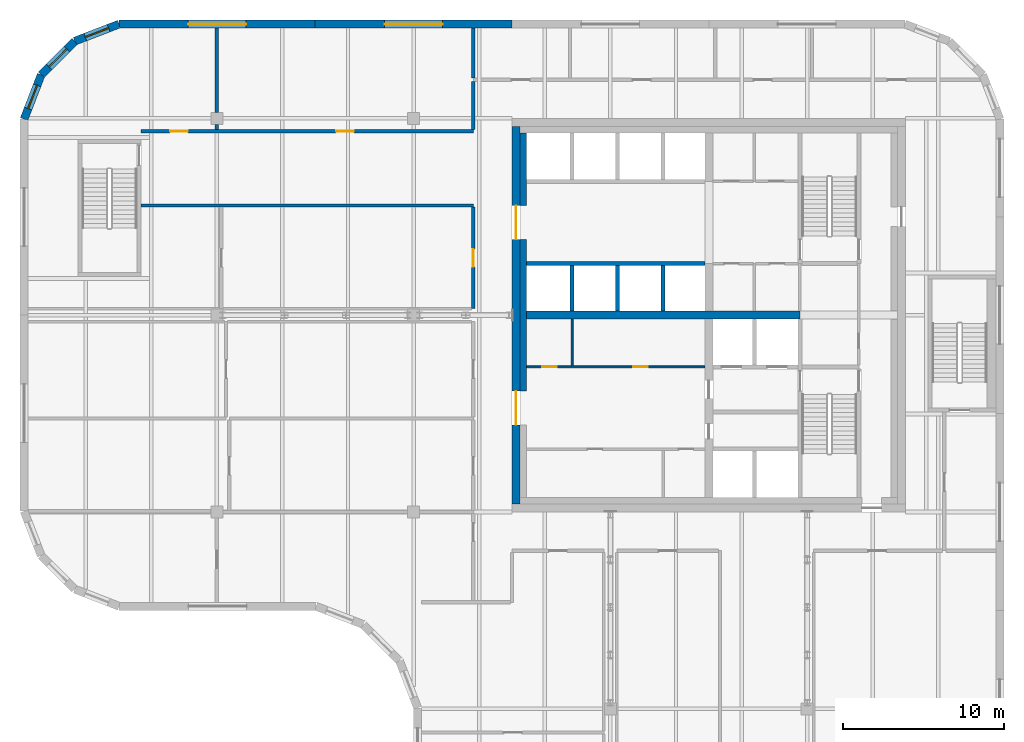
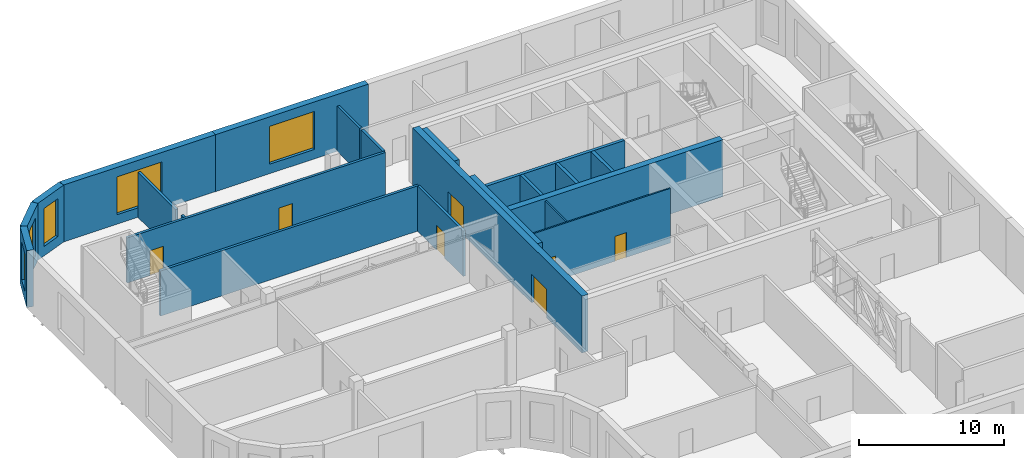
# One storey, part 8 of 12: 22 walls, 7 doors, 5 windows, 12 openings.
"""IFC4 building model written with IfcOpenShell, lengths in metres."""

from ifc_helpers import new_model, si_unit, direction, frame, frame_2d, origin, place, context, subcontext, project, spatial, polyline, rectangle, outline, extrude, faceted_brep, source, transform, mapped, material, layer, layer_set, type_object, element, fill, save


model = new_model("IFC4")

# Units and contexts
model_context = context("Model", 3, precision=1e-05, world=origin(), true_north=direction((0.0, 1.0)))
body_context = subcontext(model_context, "Body", "Model", "MODEL_VIEW")
ifc_project = project(units=[si_unit("LENGTHUNIT", "METRE"), si_unit("AREAUNIT", "SQUARE_METRE"), si_unit("VOLUMEUNIT", "CUBIC_METRE"), si_unit("PLANEANGLEUNIT", "RADIAN"), si_unit("MASSUNIT", "GRAM", prefix="KILO")], contexts=[model_context])

# Site, building, storey
site_placement = place(None, origin())
site = spatial("IfcSite", under=ifc_project, at=site_placement, CompositionType="ELEMENT")
building_placement = place(site_placement, origin())
building = spatial("IfcBuilding", under=site, at=building_placement, Name="Tessera Gate Towers", CompositionType="ELEMENT")
storey_placement = place(building_placement, frame((0.0, 0.0, 232.10009765625)))
storey = spatial("IfcBuildingStorey", under=building, at=storey_placement, Name="L58", CompositionType="ELEMENT", Elevation=232.10009765625)

# Walls
ifc_material_1 = material(Name="Concrete C40/50", Category="concrete")
ifc_layer_1 = layer(ifc_material_1, 0.25)
ifc_layer_set_1 = layer_set([ifc_layer_1], Name="CORE ENCLOSURE WALL 250")
wall_type_1 = type_object("IfcWallType", Name="CORE ENCLOSURE WALL 250", PredefinedType="SOLIDWALL", material=ifc_layer_set_1)
wall_1_placement = place(storey_placement, frame((31.39990234375, 39.800048828125, 0.0), z_axis=(0.0, 0.0, 1.0), x_axis=(1.0, 0.0, 0.0)))
element("IfcWall", 1, at=wall_1_placement, inside=storey, type_object=wall_type_1, Name="L58 shaft and stair enclosure wall", PredefinedType="SOLIDWALL", context=body_context, shape_type="SweptSolid", body=[
    extrude(rectangle(XDim=11.050048828125, YDim=0.25, at=frame_2d((5.52490234375, 0.0))), origin(), (0.0, 0.0, 1.0), 4.7998046875),
])
for number, where, z_axis, x_axis, name in (
    (2, (34.22509765625, 36.85009765625, 0.0), (0.0, 0.0, 1.0), (0.0, 1.0, 0.0), "L58 shaft and stair enclosure wall"),
    (3, (37.050048828125, 36.85009765625, 0.0), (0.0, 0.0, 1.0), (0.0, 1.0, 0.0), "L58 shaft and stair enclosure wall"),
    (4, (39.875, 36.85009765625, 0.0), (0.0, 0.0, 1.0), (0.0, 1.0, 0.0), "L58 shaft and stair enclosure wall"),
):
    element("IfcWall", number, at=place(storey_placement, frame(where, z_axis=z_axis, x_axis=x_axis)), inside=storey, type_object=wall_type_1, Name=name, PredefinedType="SOLIDWALL", context=body_context, shape_type="SweptSolid", body=[
        extrude(rectangle(XDim=2.824951171875, YDim=0.25, at=frame_2d((1.41259765625, 0.0))), origin(), (0.0, 0.0, 1.0), 4.7998046875),
    ])

# Wall, openings, doors
ifc_material_2 = material(Name="Gypsum board on steel studs", Category="steel")
ifc_layer_2 = layer(ifc_material_2, 0.1201171875)
ifc_layer_set_2 = layer_set([ifc_layer_2], Name="CORE PARTITION 120")
wall_type_2 = type_object("IfcWallType", Name="CORE PARTITION 120", PredefinedType="PARTITIONING", material=ifc_layer_set_2)
wall_2_placement = place(storey_placement, frame((31.39990234375, 33.39990234375, 0.0), z_axis=(0.0, 0.0, 1.0), x_axis=(1.0, 0.0, 0.0)))
wall_2 = element("IfcWall", 5, at=wall_2_placement, inside=storey, type_object=wall_type_2, Name="L58 core partition", PredefinedType="PARTITIONING", context=body_context, shape_type="SweptSolid", body=[
    extrude(rectangle(XDim=11.050048828125, YDim=0.1201171875, at=frame_2d((5.52490234375, 0.0))), origin(), (0.0, 0.0, 1.0), 4.599853515625),
])
shared_shape_1 = source(origin(), body_context, "Body", "SweptSolid", [
    extrude(rectangle(XDim=0.89990234375, YDim=2.10009765625, at=frame_2d((0.449951171875, 1.050048828125))), frame((0.0, 0.070068359375, 0.0), z_axis=(0.0, -1.0, 0.0), x_axis=(1.0, 0.0, 0.0)), (0.0, 0.0, 1.0), 0.14013671875),
])
opening_1_placement = place(wall_2_placement, frame((0.96240234375, 0.0, 0.0)))
opening_1 = element("IfcOpeningElement", 6, at=opening_1_placement, cuts=wall_2, Name="Opening RD-T1-35-09", PredefinedType="OPENING", context=body_context, shape_type="MappedRepresentation", body=[
    mapped(shared_shape_1, transform((0.0, 0.0, 0.0), scale=1.0)),
])
opening_2_placement = place(wall_2_placement, frame((6.612548828125, 0.0, 0.0)))
opening_2 = element("IfcOpeningElement", 7, at=opening_2_placement, cuts=wall_2, Name="Opening RD-T1-35-10", PredefinedType="OPENING", context=body_context, shape_type="MappedRepresentation", body=[
    mapped(shared_shape_1, transform((0.0, 0.0, 0.0), scale=1.0)),
])
ifc_material_3 = material(Name="Hollow steel fire door", Category="steel")
door_type_1 = type_object("IfcDoorType", Name="CORE DOOR RD 900x2100", OperationType="NOTDEFINED", PredefinedType="DOOR", material=ifc_material_3)
shared_shape_2 = source(origin(), body_context, "Body", "SweptSolid", [
    extrude(rectangle(XDim=0.89990234375, YDim=2.10009765625, at=frame_2d((0.449951171875, 1.050048828125))), frame((0.0, 0.02490234375, 0.0), z_axis=(0.0, -1.0, 0.0), x_axis=(1.0, 0.0, 0.0)), (0.0, 0.0, 1.0), 0.050048828125),
])
door_1_placement = place(opening_1_placement, origin())
door_1 = element("IfcDoor", 8, at=door_1_placement, inside=storey, type_object=door_type_1, Name="Core room door", OperationType="SINGLE_SWING_LEFT", OverallHeight=2.10009765625, OverallWidth=0.89990234375, PredefinedType="DOOR", context=body_context, shape_type="MappedRepresentation", body=[
    mapped(shared_shape_2, transform((0.0, 0.0, 0.0), scale=1.0)),
])
fill(opening_1, door_1)
door_2_placement = place(opening_2_placement, origin())
door_2 = element("IfcDoor", 9, at=door_2_placement, inside=storey, type_object=door_type_1, Name="Core room door", OperationType="SINGLE_SWING_RIGHT", OverallHeight=2.10009765625, OverallWidth=0.89990234375, PredefinedType="DOOR", context=body_context, shape_type="MappedRepresentation", body=[
    mapped(shared_shape_2, transform((0.0, 0.0, 0.0), scale=1.0)),
])
fill(opening_2, door_2)

# Wall
wall_3_placement = place(storey_placement, frame((34.22509765625, 33.4599609375, 0.0), z_axis=(0.0, 0.0, 1.0), x_axis=(0.0, 1.0, 0.0)))
element("IfcWall", 10, at=wall_3_placement, inside=storey, type_object=wall_type_2, Name="L58 core partition", PredefinedType="PARTITIONING", context=body_context, shape_type="SweptSolid", body=[
    extrude(rectangle(XDim=2.89013671875, YDim=0.1201171875, at=frame_2d((1.445068359375, 0.0))), origin(), (0.0, 0.0, 1.0), 4.599853515625),
])

# Wall, openings, doors
ifc_material_4 = material(Name="Concrete C50/60", Category="concrete")
ifc_layer_3 = layer(ifc_material_4, 0.5)
ifc_layer_set_3 = layer_set([ifc_layer_3], Name="CORE SHEAR WALL 500 C50/60")
wall_type_3 = type_object("IfcWallType", Name="CORE SHEAR WALL 500 C50/60", PredefinedType="SHEAR", material=ifc_layer_set_3)
wall_4_placement = place(storey_placement, frame((30.75, 24.89990234375, 0.0), z_axis=(0.0, 0.0, 1.0), x_axis=(0.0, 1.0, 0.0)))
wall_4 = element("IfcWall", 11, at=wall_4_placement, inside=storey, type_object=wall_type_3, Name="Core wall W L58", PredefinedType="SHEAR", context=body_context, shape_type="SweptSolid", body=[
    extrude(rectangle(XDim=23.400146484375, YDim=0.5, at=frame_2d((11.7001953125, 0.0))), origin(), (0.0, 0.0, 1.0), 4.7998046875),
])
shared_shape_3 = source(origin(), body_context, "Body", "SweptSolid", [
    extrude(rectangle(XDim=2.10009765625, YDim=2.39990234375, at=frame_2d((1.050048828125, 1.199951171875))), frame((0.0, 0.260009765625, 0.0), z_axis=(0.0, -1.0, 0.0), x_axis=(1.0, 0.0, 0.0)), (0.0, 0.0, 1.0), 0.52001953125),
])
opening_3_placement = place(wall_4_placement, frame((4.89990234375, 0.0, 0.0)))
opening_3 = element("IfcOpeningElement", 12, at=opening_3_placement, cuts=wall_4, Name="Opening DD-T1-35-02", PredefinedType="OPENING", context=body_context, shape_type="MappedRepresentation", body=[
    mapped(shared_shape_3, transform((0.0, 0.0, 0.0), scale=1.0)),
])
opening_4_placement = place(wall_4_placement, frame((16.39990234375, 0.0, 0.0)))
opening_4 = element("IfcOpeningElement", 13, at=opening_4_placement, cuts=wall_4, Name="Opening DD-T1-35-03", PredefinedType="OPENING", context=body_context, shape_type="MappedRepresentation", body=[
    mapped(shared_shape_3, transform((0.0, 0.0, 0.0), scale=1.0)),
])
ifc_material_5 = material(Name="Hollow steel fire door", Category="steel")
door_type_2 = type_object("IfcDoorType", Name="CORE DOOR DD 2100x2400", OperationType="NOTDEFINED", PredefinedType="DOOR", material=ifc_material_5)
shared_shape_4 = source(origin(), body_context, "Body", "SweptSolid", [
    extrude(rectangle(XDim=2.10009765625, YDim=2.39990234375, at=frame_2d((1.050048828125, 1.199951171875))), frame((0.0, 0.02490234375, 0.0), z_axis=(0.0, -1.0, 0.0), x_axis=(1.0, 0.0, 0.0)), (0.0, 0.0, 1.0), 0.050048828125),
])
door_3_placement = place(opening_3_placement, origin())
door_3 = element("IfcDoor", 14, at=door_3_placement, inside=storey, type_object=door_type_2, Name="Core entrance door", OperationType="DOUBLE_DOOR_SINGLE_SWING", OverallHeight=2.39990234375, OverallWidth=2.10009765625, PredefinedType="DOOR", context=body_context, shape_type="MappedRepresentation", body=[
    mapped(shared_shape_4, transform((0.0, 0.0, 0.0), scale=1.0)),
])
fill(opening_3, door_3)
door_4_placement = place(opening_4_placement, origin())
door_4 = element("IfcDoor", 15, at=door_4_placement, inside=storey, type_object=door_type_2, Name="Core entrance door", OperationType="DOUBLE_DOOR_SINGLE_SWING", OverallHeight=2.39990234375, OverallWidth=2.10009765625, PredefinedType="DOOR", context=body_context, shape_type="MappedRepresentation", body=[
    mapped(shared_shape_4, transform((0.0, 0.0, 0.0), scale=1.0)),
])
fill(opening_4, door_4)

# Walls
ifc_material_6 = material(Name="Concrete C50/60", Category="concrete")
ifc_layer_4 = layer(ifc_material_6, 0.5)
ifc_layer_set_4 = layer_set([ifc_layer_4], Name="CORE SPINE WALL 500 C50/60")
wall_type_4 = type_object("IfcWallType", Name="CORE SPINE WALL 500 C50/60", PredefinedType="SHEAR", material=ifc_layer_set_4)
wall_5_placement = place(storey_placement, frame((31.39990234375, 36.60009765625, 0.0), z_axis=(0.0, 0.0, 1.0), x_axis=(1.0, 0.0, 0.0)))
element("IfcWall", 16, at=wall_5_placement, inside=storey, type_object=wall_type_4, Name="Core wall spine L58", PredefinedType="SHEAR", context=body_context, shape_type="SweptSolid", body=[
    extrude(rectangle(XDim=16.9501953125, YDim=0.5, at=frame_2d((8.47509765625, 0.0))), origin(), (0.0, 0.0, 1.0), 4.7998046875),
])
ifc_material_7 = material(Name="Concrete C50/60", Category="concrete")
ifc_layer_5 = layer(ifc_material_7, 0.39990234375)
ifc_layer_set_5 = layer_set([ifc_layer_5], Name="CORE WALL THICKENING 400")
wall_type_5 = type_object("IfcWallType", Name="CORE WALL THICKENING 400", PredefinedType="SOLIDWALL", material=ifc_layer_set_5)
wall_6_placement = place(storey_placement, frame((31.199951171875, 31.89990234375, 0.0), z_axis=(0.0, 0.0, 1.0), x_axis=(0.0, 1.0, 0.0)))
element("IfcWall", 17, at=wall_6_placement, inside=storey, type_object=wall_type_5, Name="Core wall thickening W L58", PredefinedType="SOLIDWALL", context=body_context, shape_type="SweptSolid", body=[
    extrude(rectangle(XDim=9.400146484375, YDim=0.39990234375, at=frame_2d((4.7001953125, 0.0))), origin(), (0.0, 0.0, 1.0), 4.7998046875),
])
wall_7_placement = place(storey_placement, frame((31.199951171875, 43.39990234375, 0.0), z_axis=(0.0, 0.0, 1.0), x_axis=(0.0, 1.0, 0.0)))
element("IfcWall", 18, at=wall_7_placement, inside=storey, type_object=wall_type_5, Name="Core wall thickening W L58", PredefinedType="SOLIDWALL", context=body_context, shape_type="SweptSolid", body=[
    extrude(rectangle(XDim=4.5, YDim=0.39990234375, at=frame_2d((2.25, 0.0))), origin(), (0.0, 0.0, 1.0), 4.7998046875),
])

# Wall, opening, door
ifc_material_8 = material(Name="Concrete masonry unit", Category="masonry")
ifc_layer_6 = layer(ifc_material_8, 0.199951171875)
ifc_layer_set_6 = layer_set([ifc_layer_6], Name="PLANT WALL 200")
wall_type_6 = type_object("IfcWallType", Name="PLANT WALL 200", PredefinedType="PARTITIONING", material=ifc_layer_set_6)
wall_8_placement = place(storey_placement, frame((28.10009765625, 37.0, 0.0), z_axis=(0.0, 0.0, 1.0), x_axis=(0.0, 1.0, 0.0)))
wall_8 = element("IfcWall", 19, at=wall_8_placement, inside=storey, type_object=wall_type_6, Name="T1-L58-PW-033", PredefinedType="PARTITIONING", context=body_context, shape_type="SweptSolid", body=[
    extrude(rectangle(XDim=6.299072265625, YDim=0.199951171875, at=frame_2d((3.1494140625, 0.0))), origin(), (0.0, 0.0, 1.0), 3.81689453125),
])
shared_shape_5 = source(origin(), body_context, "Body", "SweptSolid", [
    extrude(rectangle(XDim=1.10009765625, YDim=2.10009765625, at=frame_2d((0.550048828125, 1.050048828125))), frame((0.0, 0.10986328125, 0.0), z_axis=(0.0, -1.0, 0.0), x_axis=(1.0, 0.0, 0.0)), (0.0, 0.0, 1.0), 0.219970703125),
])
opening_5_placement = place(wall_8_placement, frame((2.60009765625, 0.0, 0.0)))
opening_5 = element("IfcOpeningElement", 20, at=opening_5_placement, cuts=wall_8, Name="Opening D5110FD90-A32-11", PredefinedType="OPENING", context=body_context, shape_type="MappedRepresentation", body=[
    mapped(shared_shape_5, transform((0.0, 0.0, 0.0), scale=1.0)),
])
ifc_material_9 = material(Name="Timber door leaf in steel frame", Category="steel")
door_type_3 = type_object("IfcDoorType", Name="PLANT DOOR 1100 FD90", OperationType="NOTDEFINED", PredefinedType="DOOR", material=ifc_material_9)
shared_shape_6 = source(origin(), body_context, "Body", "SweptSolid", [
    extrude(rectangle(XDim=1.10009765625, YDim=2.10009765625, at=frame_2d((0.550048828125, 1.050048828125))), frame((0.0, 0.02490234375, 0.0), z_axis=(0.0, -1.0, 0.0), x_axis=(1.0, 0.0, 0.0)), (0.0, 0.0, 1.0), 0.050048828125),
])
door_5_placement = place(opening_5_placement, origin())
door_5 = element("IfcDoor", 21, at=door_5_placement, inside=storey, type_object=door_type_3, Name="T1-L58-PD-011", OperationType="SINGLE_SWING_LEFT", OverallHeight=2.10009765625, OverallWidth=1.10009765625, PredefinedType="DOOR", context=body_context, shape_type="MappedRepresentation", body=[
    mapped(shared_shape_6, transform((0.0, 0.0, 0.0), scale=1.0)),
])
fill(opening_5, door_5)

# Wall
wall_9_placement = place(storey_placement, frame((7.5, 43.39990234375, 0.0), z_axis=(0.0, 0.0, 1.0), x_axis=(1.0, 0.0, 0.0)))
element("IfcWall", 22, at=wall_9_placement, inside=storey, type_object=wall_type_6, Name="T1-L58-PW-034", PredefinedType="PARTITIONING", context=body_context, shape_type="SweptSolid", body=[
    extrude(rectangle(XDim=20.60009765625, YDim=0.199951171875, at=frame_2d((10.300048828125, 0.0))), origin(), (0.0, 0.0, 1.0), 3.81689453125),
])

# Wall, openings, doors
wall_10_placement = place(storey_placement, frame((7.5, 48.0, 0.0), z_axis=(0.0, 0.0, 1.0), x_axis=(1.0, 0.0, 0.0)))
wall_10 = element("IfcWall", 23, at=wall_10_placement, inside=storey, type_object=wall_type_6, Name="T1-L58-PW-035", PredefinedType="PARTITIONING", context=body_context, shape_type="SweptSolid", body=[
    extrude(rectangle(XDim=20.60009765625, YDim=0.199951171875, at=frame_2d((10.300048828125, 0.0))), origin(), (0.0, 0.0, 1.0), 3.81689453125),
])
opening_6_placement = place(wall_10_placement, frame((1.800048828125, 0.0, 0.0)))
opening_6 = element("IfcOpeningElement", 24, at=opening_6_placement, cuts=wall_10, Name="Opening D5110FD90-A32-02", PredefinedType="OPENING", context=body_context, shape_type="MappedRepresentation", body=[
    mapped(shared_shape_5, transform((0.0, 0.0, 0.0), scale=1.0)),
])
opening_7_placement = place(wall_10_placement, frame((12.10009765625, 0.0, 0.0)))
opening_7 = element("IfcOpeningElement", 25, at=opening_7_placement, cuts=wall_10, Name="Opening D5110FD90-A32-20", PredefinedType="OPENING", context=body_context, shape_type="MappedRepresentation", body=[
    mapped(shared_shape_5, transform((0.0, 0.0, 0.0), scale=1.0)),
])
door_6_placement = place(opening_6_placement, origin())
door_6 = element("IfcDoor", 26, at=door_6_placement, inside=storey, type_object=door_type_3, Name="T1-L58-PD-002", OperationType="SINGLE_SWING_LEFT", OverallHeight=2.10009765625, OverallWidth=1.10009765625, PredefinedType="DOOR", context=body_context, shape_type="MappedRepresentation", body=[
    mapped(shared_shape_6, transform((0.0, 0.0, 0.0), scale=1.0)),
])
fill(opening_6, door_6)
door_7_placement = place(opening_7_placement, origin())
door_7 = element("IfcDoor", 27, at=door_7_placement, inside=storey, type_object=door_type_3, Name="T1-L58-PD-020", OperationType="SINGLE_SWING_LEFT", OverallHeight=2.10009765625, OverallWidth=1.10009765625, PredefinedType="DOOR", context=body_context, shape_type="MappedRepresentation", body=[
    mapped(shared_shape_6, transform((0.0, 0.0, 0.0), scale=1.0)),
])
fill(opening_7, door_7)

# Walls
wall_11_placement = place(storey_placement, frame((12.199951171875, 48.10107421875, 0.0), z_axis=(0.0, 0.0, 1.0), x_axis=(0.0, 1.0, 0.0)))
element("IfcWall", 28, at=wall_11_placement, inside=storey, type_object=wall_type_6, Name="T1-L58-PW-036", PredefinedType="PARTITIONING", context=body_context, shape_type="SweptSolid", body=[
    extrude(rectangle(XDim=0.322998046875, YDim=0.199951171875, at=frame_2d((0.16162109375, 0.0))), origin(), (0.0, 0.0, 1.0), 3.81689453125),
])
wall_12_placement = place(storey_placement, frame((28.10009765625, 48.10107421875, 0.0), z_axis=(0.0, 0.0, 1.0), x_axis=(0.0, 1.0, 0.0)))
element("IfcWall", 29, at=wall_12_placement, inside=storey, type_object=wall_type_6, Name="T1-L58-PW-037", PredefinedType="PARTITIONING", context=body_context, shape_type="SweptSolid", body=[
    extrude(rectangle(XDim=2.998046875, YDim=0.199951171875, at=frame_2d((1.4990234375, 0.0))), origin(), (0.0, 0.0, 1.0), 3.81689453125),
])
wall_13_placement = place(storey_placement, frame((12.199951171875, 49.176025390625, 0.0), z_axis=(0.0, 0.0, 1.0), x_axis=(0.0, 1.0, 0.0)))
element("IfcWall", 30, at=wall_13_placement, inside=storey, type_object=wall_type_6, Name="T1-L58-PW-038", PredefinedType="PARTITIONING", context=body_context, shape_type="SweptSolid", body=[
    extrude(rectangle(XDim=5.223876953125, YDim=0.199951171875, at=frame_2d((2.61181640625, 0.0))), origin(), (0.0, 0.0, 1.0), 3.81689453125),
])
wall_14_placement = place(storey_placement, frame((28.10009765625, 51.301025390625, 0.0), z_axis=(0.0, 0.0, 1.0), x_axis=(0.0, 1.0, 0.0)))
element("IfcWall", 31, at=wall_14_placement, inside=storey, type_object=wall_type_6, Name="T1-L58-PW-040", PredefinedType="PARTITIONING", context=body_context, shape_type="SweptSolid", body=[
    extrude(rectangle(XDim=3.098876953125, YDim=0.199951171875, at=frame_2d((1.54931640625, 0.0))), origin(), (0.0, 0.0, 1.0), 3.81689453125),
])

# Wall, opening, window
ifc_material_10 = material(Name="Precast concrete C60/75 white", Category="concrete")
ifc_layer_7 = layer(ifc_material_10, 0.5)
ifc_layer_set_7 = layer_set([ifc_layer_7], Name="RB1 ring band panel")
wall_type_7 = type_object("IfcWallType", Name="RB1 ring band panel", PredefinedType="SOLIDWALL", material=ifc_layer_set_7)
shared_shape_7 = source(origin(), body_context, "Body", "Brep", [
    faceted_brep([(0.0, -0.25, 0.0), (12.153564453125, -0.25, 0.0), (12.153564453125, -0.25, 4.7998046875), (0.0, -0.25, 4.7998046875), (0.0, 0.25, 4.7998046875), (12.10693359375, 0.25, 4.7998046875), (12.10693359375, 0.25, 0.0), (0.0, 0.25, 0.0), (12.153564453125, -0.00048828125, 0.0), (12.153564453125, -0.00048828125, 4.7998046875)], [[[0, 1, 2, 3]], [[4, 5, 6, 7]], [[7, 6, 8, 1, 0]], [[9, 2, 1, 8]], [[5, 4, 3, 2, 9]], [[4, 7, 0, 3]], [[8, 6, 5, 9]]]),
])
wall_15_placement = place(storey_placement, frame((18.300048828125, 54.64990234375, 0.0), z_axis=(0.0, 0.0, 1.0), x_axis=(-1.0, 0.0, 0.0)))
wall_15 = element("IfcWall", 32, at=wall_15_placement, inside=storey, type_object=wall_type_7, Name="Ring band panel T1 RB1-0080", PredefinedType="SOLIDWALL", context=body_context, shape_type="MappedRepresentation", body=[
    mapped(shared_shape_7, transform((0.0, 0.0, 0.0), scale=1.0)),
])
shared_shape_8 = source(origin(), body_context, "Body", "SweptSolid", [
    extrude(outline(polyline([(4.276611328125, 0.7998046875), (7.876708984375, 0.7998046875), (7.876708984375, 4.0), (4.276611328125, 4.0), (4.276611328125, 0.7998046875)])), frame((0.0, 0.260009765625, 0.0), z_axis=(0.0, -1.0, 0.0), x_axis=(1.0, 0.0, 0.0)), (0.0, 0.0, 1.0), 0.52001953125),
])
opening_8_placement = place(wall_15_placement, origin())
opening_8 = element("IfcOpeningElement", 33, at=opening_8_placement, cuts=wall_15, Name="Opening T1-WN-LV1-0080", PredefinedType="OPENING", context=body_context, shape_type="MappedRepresentation", body=[
    mapped(shared_shape_8, transform((0.0, 0.0, 0.0), scale=1.0)),
])
ifc_material_11 = material(Name="Aluminium louvre", Category="aluminium")
ifc_layer_8 = layer(ifc_material_11, 0.06005859375)
ifc_layer_set_8 = layer_set([ifc_layer_8], Name="LV1 louvre")
window_type = type_object("IfcWindowType", Name="LV1 louvre", PartitioningType="USERDEFINED", PredefinedType="WINDOW", material=ifc_layer_set_8)
shared_shape_9 = source(origin(), body_context, "Body", "SweptSolid", [
    extrude(outline(polyline([(4.276611328125, 0.7998046875), (7.876708984375, 0.7998046875), (7.876708984375, 4.0), (4.276611328125, 4.0), (4.276611328125, 0.7998046875)])), frame((0.0, 0.030029296875, 0.0), z_axis=(0.0, -1.0, 0.0), x_axis=(1.0, 0.0, 0.0)), (0.0, 0.0, 1.0), 0.06005859375),
])
window_1_placement = place(opening_8_placement, origin())
window_1 = element("IfcWindow", 34, at=window_1_placement, inside=storey, type_object=window_type, Name="Louvre T1 WN-LV1-0080", OverallHeight=3.2001953125, OverallWidth=3.60009765625, PartitioningType="USERDEFINED", PredefinedType="WINDOW", context=body_context, shape_type="MappedRepresentation", body=[
    mapped(shared_shape_9, transform((0.0, 0.0, 0.0), scale=1.0)),
])
fill(opening_8, window_1)

shared_shape_10 = source(origin(), body_context, "Body", "Brep", [
    faceted_brep([(0.0, -0.25, 0.0), (2.950439453125, -0.25, 0.0), (2.950439453125, -0.25, 4.7998046875), (0.0, -0.25, 4.7998046875), (0.046630859375, 0.25, 4.7998046875), (2.897705078125, 0.25, 4.7998046875), (2.897705078125, 0.25, 0.0), (0.046630859375, 0.25, 0.0), (2.950439453125, 0.00048828125, 0.0), (0.0, 0.0, 0.0), (2.950439453125, 0.00048828125, 4.7998046875), (0.0, 0.0, 4.7998046875)], [[[0, 1, 2, 3]], [[4, 5, 6, 7]], [[7, 6, 8, 1, 0, 9]], [[10, 2, 1, 8]], [[5, 4, 11, 3, 2, 10]], [[9, 0, 3, 11]], [[7, 9, 11, 4]], [[8, 6, 5, 10]]]),
])
wall_16_placement = place(storey_placement, frame((6.146484375, 54.64990234375, 0.0), z_axis=(0.0, 0.0, 1.0), x_axis=(-0.932999673775, -0.359877213415, 0.0)))
wall_16 = element("IfcWall", 35, at=wall_16_placement, inside=storey, type_object=wall_type_7, Name="Ring band panel T1 RB1-0081", PredefinedType="SOLIDWALL", context=body_context, shape_type="MappedRepresentation", body=[
    mapped(shared_shape_10, transform((0.0, 0.0, 0.0), scale=1.0)),
])
shared_shape_11 = source(origin(), body_context, "Body", "SweptSolid", [
    extrude(outline(polyline([(0.699951171875, 0.7998046875), (2.25048828125, 0.7998046875), (2.25048828125, 4.0), (0.699951171875, 4.0), (0.699951171875, 0.7998046875)])), frame((0.0, 0.260009765625, 0.0), z_axis=(0.0, -1.0, 0.0), x_axis=(1.0, 0.0, 0.0)), (0.0, 0.0, 1.0), 0.52001953125),
])
opening_9_placement = place(wall_16_placement, origin())
opening_9 = element("IfcOpeningElement", 36, at=opening_9_placement, cuts=wall_16, Name="Opening T1-WN-LV1-0081", PredefinedType="OPENING", context=body_context, shape_type="MappedRepresentation", body=[
    mapped(shared_shape_11, transform((0.0, 0.0, 0.0), scale=1.0)),
])
shared_shape_12 = source(origin(), body_context, "Body", "SweptSolid", [
    extrude(outline(polyline([(0.699951171875, 0.7998046875), (2.25048828125, 0.7998046875), (2.25048828125, 4.0), (0.699951171875, 4.0), (0.699951171875, 0.7998046875)])), frame((0.0, 0.030029296875, 0.0), z_axis=(0.0, -1.0, 0.0), x_axis=(1.0, 0.0, 0.0)), (0.0, 0.0, 1.0), 0.06005859375),
])
window_2_placement = place(opening_9_placement, origin())
window_2 = element("IfcWindow", 37, at=window_2_placement, inside=storey, type_object=window_type, Name="Louvre T1 WN-LV1-0081", OverallHeight=3.2001953125, OverallWidth=1.550537109375, PartitioningType="USERDEFINED", PredefinedType="WINDOW", context=body_context, shape_type="MappedRepresentation", body=[
    mapped(shared_shape_12, transform((0.0, 0.0, 0.0), scale=1.0)),
])
fill(opening_9, window_2)

shared_shape_13 = source(origin(), body_context, "Body", "Brep", [
    faceted_brep([(0.0, -0.25, 0.0), (2.944091796875, -0.25, 0.0), (2.944091796875, -0.25, 4.7998046875), (0.0, -0.25, 4.7998046875), (0.052978515625, 0.25, 4.7998046875), (2.89111328125, 0.25, 4.7998046875), (2.89111328125, 0.25, 0.0), (0.052978515625, 0.25, 0.0), (2.944091796875, 0.000244140625, 0.0), (0.0, 0.0, 0.0), (2.944091796875, 0.000244140625, 4.7998046875), (0.0, 0.0, 4.7998046875)], [[[0, 1, 2, 3]], [[4, 5, 6, 7]], [[7, 6, 8, 1, 0, 9]], [[10, 2, 1, 8]], [[5, 4, 11, 3, 2, 10]], [[9, 0, 3, 11]], [[7, 9, 11, 4]], [[8, 6, 5, 10]]]),
])
wall_17_placement = place(storey_placement, frame((3.393798828125, 53.588134765625, 0.0), z_axis=(0.0, 0.0, 1.0), x_axis=(-0.707106781187, -0.707106781187, 0.0)))
wall_17 = element("IfcWall", 38, at=wall_17_placement, inside=storey, type_object=wall_type_7, Name="Ring band panel T1 RB1-0082", PredefinedType="SOLIDWALL", context=body_context, shape_type="MappedRepresentation", body=[
    mapped(shared_shape_13, transform((0.0, 0.0, 0.0), scale=1.0)),
])
shared_shape_14 = source(origin(), body_context, "Body", "SweptSolid", [
    extrude(outline(polyline([(0.699951171875, 0.7998046875), (2.244140625, 0.7998046875), (2.244140625, 4.0), (0.699951171875, 4.0), (0.699951171875, 0.7998046875)])), frame((0.0, 0.260009765625, 0.0), z_axis=(0.0, -1.0, 0.0), x_axis=(1.0, 0.0, 0.0)), (0.0, 0.0, 1.0), 0.52001953125),
])
opening_10_placement = place(wall_17_placement, origin())
opening_10 = element("IfcOpeningElement", 39, at=opening_10_placement, cuts=wall_17, Name="Opening T1-WN-LV1-0082", PredefinedType="OPENING", context=body_context, shape_type="MappedRepresentation", body=[
    mapped(shared_shape_14, transform((0.0, 0.0, 0.0), scale=1.0)),
])
shared_shape_15 = source(origin(), body_context, "Body", "SweptSolid", [
    extrude(outline(polyline([(0.699951171875, 0.7998046875), (2.244140625, 0.7998046875), (2.244140625, 4.0), (0.699951171875, 4.0), (0.699951171875, 0.7998046875)])), frame((0.0, 0.030029296875, 0.0), z_axis=(0.0, -1.0, 0.0), x_axis=(1.0, 0.0, 0.0)), (0.0, 0.0, 1.0), 0.06005859375),
])
window_3_placement = place(opening_10_placement, origin())
window_3 = element("IfcWindow", 40, at=window_3_placement, inside=storey, type_object=window_type, Name="Louvre T1 WN-LV1-0082", OverallHeight=3.2001953125, OverallWidth=1.544189453125, PartitioningType="USERDEFINED", PredefinedType="WINDOW", context=body_context, shape_type="MappedRepresentation", body=[
    mapped(shared_shape_15, transform((0.0, 0.0, 0.0), scale=1.0)),
])
fill(opening_10, window_3)

shared_shape_16 = source(origin(), body_context, "Body", "SweptSolid", [
    extrude(outline(polyline([(0.0, 0.0), (12.199951171875, 0.0), (12.199951171875, 4.7998046875), (0.0, 4.7998046875), (0.0, 0.0)])), frame((0.0, 0.25, 0.0), z_axis=(0.0, -1.0, 0.0), x_axis=(1.0, 0.0, 0.0)), (0.0, 0.0, 1.0), 0.5),
])
wall_18_placement = place(storey_placement, frame((30.5, 54.64990234375, 0.0), z_axis=(0.0, 0.0, 1.0), x_axis=(-1.0, 0.0, 0.0)))
wall_18 = element("IfcWall", 41, at=wall_18_placement, inside=storey, type_object=wall_type_7, Name="Ring band panel T1 RB1-0079", PredefinedType="SOLIDWALL", context=body_context, shape_type="MappedRepresentation", body=[
    mapped(shared_shape_16, transform((0.0, 0.0, 0.0), scale=1.0)),
])
shared_shape_17 = source(origin(), body_context, "Body", "SweptSolid", [
    extrude(outline(polyline([(4.300048828125, 0.7998046875), (7.89990234375, 0.7998046875), (7.89990234375, 4.0), (4.300048828125, 4.0), (4.300048828125, 0.7998046875)])), frame((0.0, 0.260009765625, 0.0), z_axis=(0.0, -1.0, 0.0), x_axis=(1.0, 0.0, 0.0)), (0.0, 0.0, 1.0), 0.52001953125),
])
opening_11_placement = place(wall_18_placement, origin())
opening_11 = element("IfcOpeningElement", 42, at=opening_11_placement, cuts=wall_18, Name="Opening T1-WN-LV1-0079", PredefinedType="OPENING", context=body_context, shape_type="MappedRepresentation", body=[
    mapped(shared_shape_17, transform((0.0, 0.0, 0.0), scale=1.0)),
])
shared_shape_18 = source(origin(), body_context, "Body", "SweptSolid", [
    extrude(outline(polyline([(4.300048828125, 0.7998046875), (7.89990234375, 0.7998046875), (7.89990234375, 4.0), (4.300048828125, 4.0), (4.300048828125, 0.7998046875)])), frame((0.0, 0.030029296875, 0.0), z_axis=(0.0, -1.0, 0.0), x_axis=(1.0, 0.0, 0.0)), (0.0, 0.0, 1.0), 0.06005859375),
])
window_4_placement = place(opening_11_placement, origin())
window_4 = element("IfcWindow", 43, at=window_4_placement, inside=storey, type_object=window_type, Name="Louvre T1 WN-LV1-0079", OverallHeight=3.2001953125, OverallWidth=3.599853515625, PartitioningType="USERDEFINED", PredefinedType="WINDOW", context=body_context, shape_type="MappedRepresentation", body=[
    mapped(shared_shape_18, transform((0.0, 0.0, 0.0), scale=1.0)),
])
fill(opening_11, window_4)

shared_shape_19 = source(origin(), body_context, "Body", "Brep", [
    faceted_brep([(0.0, -0.25, 0.0), (2.950439453125, -0.25, 0.0), (2.950439453125, -0.25, 4.7998046875), (0.0, -0.25, 4.7998046875), (0.052978515625, 0.25, 4.7998046875), (2.904052734375, 0.25, 4.7998046875), (2.904052734375, 0.25, 0.0), (0.052978515625, 0.25, 0.0), (2.950439453125, 0.00048828125, 0.0), (0.0, 0.0, 0.0), (2.950439453125, 0.00048828125, 4.7998046875), (0.0, 0.0, 4.7998046875)], [[[0, 1, 2, 3]], [[4, 5, 6, 7]], [[7, 6, 8, 1, 0, 9]], [[10, 2, 1, 8]], [[5, 4, 11, 3, 2, 10]], [[9, 0, 3, 11]], [[7, 9, 11, 4]], [[8, 6, 5, 10]]]),
])
wall_19_placement = place(storey_placement, frame((1.31201171875, 51.50634765625, 0.0), z_axis=(0.0, 0.0, 1.0), x_axis=(-0.359921456299, -0.932982607178, 0.0)))
wall_19 = element("IfcWall", 44, at=wall_19_placement, inside=storey, type_object=wall_type_7, Name="Ring band panel T1 RB1-0083", PredefinedType="SOLIDWALL", context=body_context, shape_type="MappedRepresentation", body=[
    mapped(shared_shape_19, transform((0.0, 0.0, 0.0), scale=1.0)),
])
opening_12_placement = place(wall_19_placement, origin())
opening_12 = element("IfcOpeningElement", 45, at=opening_12_placement, cuts=wall_19, Name="Opening T1-WN-LV1-0083", PredefinedType="OPENING", context=body_context, shape_type="MappedRepresentation", body=[
    mapped(shared_shape_11, transform((0.0, 0.0, 0.0), scale=1.0)),
])
window_5_placement = place(opening_12_placement, origin())
window_5 = element("IfcWindow", 46, at=window_5_placement, inside=storey, type_object=window_type, Name="Louvre T1 WN-LV1-0083", OverallHeight=3.2001953125, OverallWidth=1.550537109375, PartitioningType="USERDEFINED", PredefinedType="WINDOW", context=body_context, shape_type="MappedRepresentation", body=[
    mapped(shared_shape_12, transform((0.0, 0.0, 0.0), scale=1.0)),
])
fill(opening_12, window_5)

save(model, "model.ifc")
